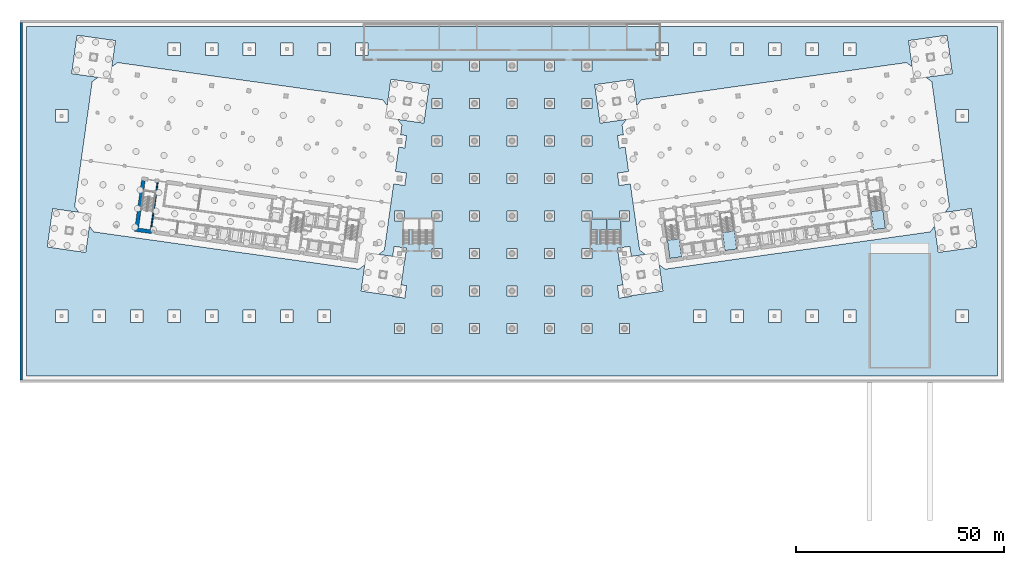
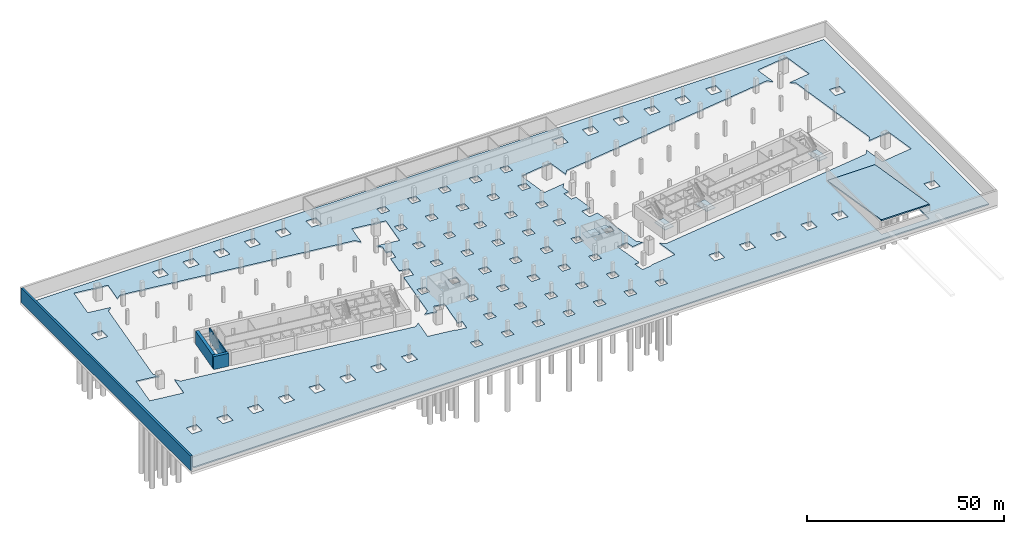
# One storey, part 4 of 19: 7 slabs, 4 walls, 5 elements without a shape of their own.
"""IFC4 building model written with IfcOpenShell, lengths in metres."""

from ifc_helpers import new_model, si_unit, direction, frame, frame_2d, origin, place, context, subcontext, project, spatial, polyline, rectangle, outline, extrude, material, layer, layer_set, type_object, element, aggregate, save


model = new_model("IFC4")

# Units and contexts
model_context = context("Model", 3, precision=1e-05, world=origin(), true_north=direction((0.0, 1.0)))
body_context = subcontext(model_context, "Body", "Model", "MODEL_VIEW")
ifc_project = project(units=[si_unit("LENGTHUNIT", "METRE"), si_unit("AREAUNIT", "SQUARE_METRE"), si_unit("VOLUMEUNIT", "CUBIC_METRE"), si_unit("PLANEANGLEUNIT", "RADIAN"), si_unit("MASSUNIT", "GRAM", prefix="KILO")], contexts=[model_context])

# Site, building, storey
site_placement = place(None, origin())
site = spatial("IfcSite", under=ifc_project, at=site_placement, CompositionType="ELEMENT")
building_placement = place(site_placement, origin())
building = spatial("IfcBuilding", under=site, at=building_placement, Name="Mirante Cascada Hotel Towers", CompositionType="ELEMENT")
storey_placement = place(building_placement, frame((0.0, 0.0, -9.0)))
storey = spatial("IfcBuildingStorey", under=building, at=storey_placement, Name="B2", CompositionType="ELEMENT", Elevation=-9.0)

# Slab
ifc_material_1 = material(Name="Concrete C35/45", Category="concrete")
ifc_layer_1 = layer(ifc_material_1, 0.4)
ifc_layer_set_1 = layer_set([ifc_layer_1], Name="Base slab 400 C35/45")
slab_type_1 = type_object("IfcSlabType", Name="Base slab 400 C35/45", PredefinedType="BASESLAB", material=ifc_layer_set_1)
slab_1_placement = place(storey_placement, frame((0.0, 0.0, -0.4)))
element("IfcSlab", 1, at=slab_1_placement, inside=storey, type_object=slab_type_1, Name="Basement base slab", PredefinedType="BASESLAB", context=body_context, shape_type="SweptSolid", body=[
    extrude(outline(polyline([(116.4, -47.4), (-116.4, -47.4), (-116.4, 36.4), (116.4, 36.4), (116.4, -47.4)]), holes=[polyline([(32.0068, -18.2286), (28.6139, -18.7055), (28.2766, -16.3058), (25.3058, -16.7234), (25.7234, -19.6942), (25.7705, -19.6875), (26.5933, -25.5424), (25.3058, -25.7234), (25.7234, -28.6942), (28.6942, -28.2766), (28.6678, -28.0893), (36.194, -27.0316), (35.3063, -20.715), (36.694, -21.7607), (100.3114, -12.8198), (101.3571, -11.4321), (102.2449, -17.7487), (111.4544, -16.4544), (110.1601, -7.2449), (103.8435, -8.1327), (104.8892, -6.7449), (100.6802, 23.2034), (99.2925, 24.2491), (105.6091, 25.1368), (104.3148, 34.3463), (95.1053, 33.052), (95.993, 26.7354), (94.6053, 27.7812), (30.9879, 18.8403), (29.9422, 17.4526), (29.0544, 23.7692), (19.8449, 22.4749), (21.1392, 13.2654), (27.4558, 14.1531), (26.4101, 12.7654), (26.7317, 10.477), (25.3058, 10.2766), (25.7234, 7.3058), (27.1492, 7.5062), (27.9721, 1.6514), (25.3058, 1.2766), (25.7234, -1.6942), (28.3896, -1.3194), (30.6191, -17.1829), (32.0068, -18.2286)]), polyline([(106.5, 13.5), (109.5, 13.5), (109.5, 16.5), (106.5, 16.5), (106.5, 13.5)]), polyline([(106.5, -34.5), (109.5, -34.5), (109.5, -31.5), (106.5, -31.5), (106.5, -34.5)]), polyline([(86.0, -45.5), (100.0, -45.5), (100.0, -18.0), (86.0, -18.0), (86.0, -45.5)]), polyline([(79.5, 32.5), (79.5, 29.5), (82.5, 29.5), (82.5, 32.5), (79.5, 32.5)]), polyline([(79.5, -31.5), (79.5, -34.5), (82.5, -34.5), (82.5, -31.5), (79.5, -31.5)]), polyline([(70.5, 32.5), (70.5, 29.5), (73.5, 29.5), (73.5, 32.5), (70.5, 32.5)]), polyline([(70.5, -31.5), (70.5, -34.5), (73.5, -34.5), (73.5, -31.5), (70.5, -31.5)]), polyline([(61.5, 29.5), (64.5, 29.5), (64.5, 32.5), (61.5, 32.5), (61.5, 29.5)]), polyline([(61.5, -34.5), (64.5, -34.5), (64.5, -31.5), (61.5, -31.5), (61.5, -34.5)]), polyline([(52.5, 29.5), (55.5, 29.5), (55.5, 32.5), (52.5, 32.5), (52.5, 29.5)]), polyline([(52.5, -34.5), (55.5, -34.5), (55.5, -31.5), (52.5, -31.5), (52.5, -34.5)]), polyline([(43.5, 32.5), (43.5, 29.5), (46.5, 29.5), (46.5, 32.5), (43.5, 32.5)]), polyline([(43.5, -34.5), (46.5, -34.5), (46.5, -31.5), (43.5, -31.5), (43.5, -34.5)]), polyline([(34.5, 29.5), (37.5, 29.5), (37.5, 32.5), (34.5, 32.5), (34.5, 29.5)]), polyline([(25.8, -10.2), (28.2, -10.2), (28.2, -7.8), (25.8, -7.8), (25.8, -10.2)]), polyline([(25.8, -37.2), (28.2, -37.2), (28.2, -34.8), (25.8, -34.8), (25.8, -37.2)]), polyline([(16.8, 28.2), (16.8, 25.8), (19.2, 25.8), (19.2, 28.2), (16.8, 28.2)]), polyline([(16.8, -37.2), (19.2, -37.2), (19.2, -34.8), (16.8, -34.8), (16.8, -37.2)]), polyline([(16.8, -28.2), (19.2, -28.2), (19.2, -25.8), (16.8, -25.8), (16.8, -28.2)]), polyline([(16.8, -19.2), (19.2, -19.2), (19.2, -16.8), (16.8, -16.8), (16.8, -19.2)]), polyline([(16.8, -7.8), (16.8, -10.2), (19.2, -10.2), (19.2, -7.8), (16.8, -7.8)]), polyline([(16.8, 1.2), (16.8, -1.2), (19.2, -1.2), (19.2, 1.2), (16.8, 1.2)]), polyline([(16.8, 7.8), (19.2, 7.8), (19.2, 10.2), (16.8, 10.2), (16.8, 7.8)]), polyline([(16.8, 16.8), (19.2, 16.8), (19.2, 19.2), (16.8, 19.2), (16.8, 16.8)]), polyline([(7.8, 28.2), (7.8, 25.8), (10.2, 25.8), (10.2, 28.2), (7.8, 28.2)]), polyline([(7.8, 16.8), (10.2, 16.8), (10.2, 19.2), (7.8, 19.2), (7.8, 16.8)]), polyline([(7.8, 10.2), (7.8, 7.8), (10.2, 7.8), (10.2, 10.2), (7.8, 10.2)]), polyline([(7.8, -1.2), (10.2, -1.2), (10.2, 1.2), (7.8, 1.2), (7.8, -1.2)]), polyline([(7.8, -7.8), (7.8, -10.2), (10.2, -10.2), (10.2, -7.8), (7.8, -7.8)]), polyline([(7.8, -19.2), (10.2, -19.2), (10.2, -16.8), (7.8, -16.8), (7.8, -19.2)]), polyline([(7.8, -28.2), (10.2, -28.2), (10.2, -25.8), (7.8, -25.8), (7.8, -28.2)]), polyline([(7.8, -34.8), (7.8, -37.2), (10.2, -37.2), (10.2, -34.8), (7.8, -34.8)]), polyline([(-1.2, -1.2), (1.2, -1.2), (1.2, 1.2), (-1.2, 1.2), (-1.2, -1.2)]), polyline([(-1.2, 25.8), (1.2, 25.8), (1.2, 28.2), (-1.2, 28.2), (-1.2, 25.8)]), polyline([(-1.2, 19.2), (-1.2, 16.8), (1.2, 16.8), (1.2, 19.2), (-1.2, 19.2)]), polyline([(-1.2, 7.8), (1.2, 7.8), (1.2, 10.2), (-1.2, 10.2), (-1.2, 7.8)]), polyline([(-1.2, -10.2), (1.2, -10.2), (1.2, -7.8), (-1.2, -7.8), (-1.2, -10.2)]), polyline([(-1.2, -19.2), (1.2, -19.2), (1.2, -16.8), (-1.2, -16.8), (-1.2, -19.2)]), polyline([(-1.2, -25.8), (-1.2, -28.2), (1.2, -28.2), (1.2, -25.8), (-1.2, -25.8)]), polyline([(-1.2, -37.2), (1.2, -37.2), (1.2, -34.8), (-1.2, -34.8), (-1.2, -37.2)]), polyline([(-10.2, 28.2), (-10.2, 25.8), (-7.8, 25.8), (-7.8, 28.2), (-10.2, 28.2)]), polyline([(-10.2, 16.8), (-7.8, 16.8), (-7.8, 19.2), (-10.2, 19.2), (-10.2, 16.8)]), polyline([(-10.2, 7.8), (-7.8, 7.8), (-7.8, 10.2), (-10.2, 10.2), (-10.2, 7.8)]), polyline([(-10.2, -1.2), (-7.8, -1.2), (-7.8, 1.2), (-10.2, 1.2), (-10.2, -1.2)]), polyline([(-10.2, -10.2), (-7.8, -10.2), (-7.8, -7.8), (-10.2, -7.8), (-10.2, -10.2)]), polyline([(-10.2, -16.8), (-10.2, -19.2), (-7.8, -19.2), (-7.8, -16.8), (-10.2, -16.8)]), polyline([(-10.2, -28.2), (-7.8, -28.2), (-7.8, -25.8), (-10.2, -25.8), (-10.2, -28.2)]), polyline([(-10.2, -34.8), (-10.2, -37.2), (-7.8, -37.2), (-7.8, -34.8), (-10.2, -34.8)]), polyline([(-19.2, -28.2), (-16.8, -28.2), (-16.8, -25.8), (-19.2, -25.8), (-19.2, -28.2)]), polyline([(-19.2, -37.2), (-16.8, -37.2), (-16.8, -34.8), (-19.2, -34.8), (-19.2, -37.2)]), polyline([(-19.2, -19.2), (-16.8, -19.2), (-16.8, -16.8), (-19.2, -16.8), (-19.2, -19.2)]), polyline([(-19.2, -7.8), (-19.2, -10.2), (-16.8, -10.2), (-16.8, -7.8), (-19.2, -7.8)]), polyline([(-19.2, 7.8), (-16.8, 7.8), (-16.8, 10.2), (-19.2, 10.2), (-19.2, 7.8)]), polyline([(-19.2, 19.2), (-19.2, 16.8), (-16.8, 16.8), (-16.8, 19.2), (-19.2, 19.2)]), polyline([(-19.2, 25.8), (-16.8, 25.8), (-16.8, 28.2), (-19.2, 28.2), (-19.2, 25.8)]), polyline([(-19.2, -1.2), (-16.8, -1.2), (-16.8, 1.2), (-19.2, 1.2), (-19.2, -1.2)]), polyline([(-36.694, -21.7607), (-35.3063, -20.715), (-36.194, -27.0316), (-28.6678, -28.0893), (-28.6942, -28.2766), (-25.7234, -28.6942), (-25.3058, -25.7234), (-26.5933, -25.5424), (-25.7705, -19.6875), (-25.7234, -19.6942), (-25.3058, -16.7234), (-28.2766, -16.3058), (-28.6139, -18.7055), (-32.0068, -18.2286), (-30.6191, -17.1829), (-28.3896, -1.3194), (-25.7234, -1.6942), (-25.3058, 1.2766), (-27.9721, 1.6514), (-27.1492, 7.5062), (-25.7234, 7.3058), (-25.3058, 10.2766), (-26.7317, 10.477), (-26.4101, 12.7654), (-27.4558, 14.1531), (-21.1392, 13.2654), (-19.8449, 22.4749), (-29.0544, 23.7692), (-29.9422, 17.4526), (-30.9879, 18.8403), (-94.6053, 27.7812), (-95.993, 26.7354), (-95.1053, 33.052), (-104.3148, 34.3463), (-105.6091, 25.1368), (-99.2925, 24.2491), (-100.6802, 23.2034), (-104.8892, -6.7449), (-103.8435, -8.1327), (-110.1601, -7.2449), (-111.4544, -16.4544), (-102.2449, -17.7487), (-101.3571, -11.4321), (-100.3114, -12.8198), (-36.694, -21.7607)]), polyline([(-28.2, -7.8), (-28.2, -10.2), (-25.8, -10.2), (-25.8, -7.8), (-28.2, -7.8)]), polyline([(-28.2, -37.2), (-25.8, -37.2), (-25.8, -34.8), (-28.2, -34.8), (-28.2, -37.2)]), polyline([(-37.5, 29.5), (-34.5, 29.5), (-34.5, 32.5), (-37.5, 32.5), (-37.5, 29.5)]), polyline([(-46.5, 29.5), (-43.5, 29.5), (-43.5, 32.5), (-46.5, 32.5), (-46.5, 29.5)]), polyline([(-46.5, -34.5), (-43.5, -34.5), (-43.5, -31.5), (-46.5, -31.5), (-46.5, -34.5)]), polyline([(-55.5, 29.5), (-52.5, 29.5), (-52.5, 32.5), (-55.5, 32.5), (-55.5, 29.5)]), polyline([(-55.5, -34.5), (-52.5, -34.5), (-52.5, -31.5), (-55.5, -31.5), (-55.5, -34.5)]), polyline([(-64.5, 29.5), (-61.5, 29.5), (-61.5, 32.5), (-64.5, 32.5), (-64.5, 29.5)]), polyline([(-64.5, -34.5), (-61.5, -34.5), (-61.5, -31.5), (-64.5, -31.5), (-64.5, -34.5)]), polyline([(-73.5, 29.5), (-70.5, 29.5), (-70.5, 32.5), (-73.5, 32.5), (-73.5, 29.5)]), polyline([(-73.5, -34.5), (-70.5, -34.5), (-70.5, -31.5), (-73.5, -31.5), (-73.5, -34.5)]), polyline([(-82.5, 29.5), (-79.5, 29.5), (-79.5, 32.5), (-82.5, 32.5), (-82.5, 29.5)]), polyline([(-82.5, -31.5), (-82.5, -34.5), (-79.5, -34.5), (-79.5, -31.5), (-82.5, -31.5)]), polyline([(-91.5, -31.5), (-91.5, -34.5), (-88.5, -34.5), (-88.5, -31.5), (-91.5, -31.5)]), polyline([(-100.5, -34.5), (-97.5, -34.5), (-97.5, -31.5), (-100.5, -31.5), (-100.5, -34.5)]), polyline([(-109.5, -34.5), (-106.5, -34.5), (-106.5, -31.5), (-109.5, -31.5), (-109.5, -34.5)]), polyline([(-109.5, 16.5), (-109.5, 13.5), (-106.5, 13.5), (-106.5, 16.5), (-109.5, 16.5)])]), origin(), (0.0, 0.0, 1.0), 0.4),
])

# Stair, slab
ifc_material_2 = material(Name="Concrete C35/45", Category="concrete")
stair_type_1 = type_object("IfcStairType", Name="Exit stair half-turn 1350 concrete C35/45", PredefinedType="HALF_TURN_STAIR", material=ifc_material_2)
stair_1_placement = place(storey_placement, origin())
stair_1 = element("IfcStair", 2, at=stair_1_placement, inside=storey, type_object=stair_type_1, Name="B2 Exit stair A", PredefinedType="HALF_TURN_STAIR")
ifc_material_3 = material(Name="Concrete C35/45", Category="concrete")
ifc_layer_2 = layer(ifc_material_3, 0.2)
ifc_layer_set_2 = layer_set([ifc_layer_2], Name="Exit stair landing 200 concrete C35/45")
slab_type_2 = type_object("IfcSlabType", Name="Exit stair landing 200 concrete C35/45", PredefinedType="LANDING", material=ifc_layer_set_2)
slab_2_placement = place(storey_placement, frame((0.0, 0.0, 2.05)))
slab_2 = element("IfcSlab", 3, at=slab_2_placement, type_object=slab_type_2, Name="ST2-A landing 1", PredefinedType="LANDING", context=body_context, shape_type="SweptSolid", body=[
    extrude(outline(polyline([(37.2544, -14.8171), (37.8665, -19.1723), (40.6887, -18.7757), (40.0767, -14.4205), (37.2544, -14.8171)])), origin(), (0.0, 0.0, 1.0), 0.2),
])
aggregate(stair_1, [slab_2])

stair_2_placement = place(storey_placement, origin())
stair_2 = element("IfcStair", 4, at=stair_2_placement, inside=storey, type_object=stair_type_1, Name="B2 Exit stair B", PredefinedType="HALF_TURN_STAIR")
slab_3_placement = place(storey_placement, frame((0.0, 0.0, 2.05)))
slab_3 = element("IfcSlab", 5, at=slab_3_placement, type_object=slab_type_2, Name="ST2-B landing 1", PredefinedType="LANDING", context=body_context, shape_type="SweptSolid", body=[
    extrude(outline(polyline([(50.4745, -12.9592), (51.0866, -17.3144), (53.9088, -16.9177), (53.2967, -12.5625), (50.4745, -12.9592)])), origin(), (0.0, 0.0, 1.0), 0.2),
])
aggregate(stair_2, [slab_3])

stair_3_placement = place(storey_placement, origin())
stair_3 = element("IfcStair", 6, at=stair_3_placement, inside=storey, type_object=stair_type_1, Name="B2 Exit stair C", PredefinedType="HALF_TURN_STAIR")
slab_4_placement = place(storey_placement, frame((0.0, 0.0, 2.05)))
slab_4 = element("IfcSlab", 7, at=slab_4_placement, type_object=slab_type_2, Name="ST2-C landing 1", PredefinedType="LANDING", context=body_context, shape_type="SweptSolid", body=[
    extrude(outline(polyline([(86.1241, -7.9489), (86.7362, -12.3041), (89.5585, -11.9075), (88.9464, -7.5523), (86.1241, -7.9489)])), origin(), (0.0, 0.0, 1.0), 0.2),
])
aggregate(stair_3, [slab_4])

ifc_material_4 = material(Name="Concrete C35/45", Category="concrete")
stair_type_2 = type_object("IfcStairType", Name="Podium exit stair half-turn 1500 concrete C35/45", PredefinedType="HALF_TURN_STAIR", material=ifc_material_4)
stair_4_placement = place(storey_placement, origin())
stair_4 = element("IfcStair", 8, at=stair_4_placement, inside=storey, type_object=stair_type_2, Name="B2 Podium exit stair 4", PredefinedType="HALF_TURN_STAIR")
ifc_material_5 = material(Name="Concrete C35/45", Category="concrete")
ifc_layer_3 = layer(ifc_material_5, 0.2)
ifc_layer_set_3 = layer_set([ifc_layer_3], Name="Podium exit stair landing 200 concrete C35/45")
slab_type_3 = type_object("IfcSlabType", Name="Podium exit stair landing 200 concrete C35/45", PredefinedType="LANDING", material=ifc_layer_set_3)
slab_5_placement = place(storey_placement, frame((0.0, 0.0, 2.05)))
slab_5 = element("IfcSlab", 9, at=slab_5_placement, type_object=slab_type_3, Name="PS2 landing 1", PredefinedType="LANDING", context=body_context, shape_type="SweptSolid", body=[
    extrude(outline(polyline([(26.075, -12.415), (26.075, -9.725), (22.925, -9.725), (22.925, -12.415), (26.075, -12.415)])), origin(), (0.0, 0.0, 1.0), 0.2),
])
aggregate(stair_4, [slab_5])

stair_5_placement = place(storey_placement, origin())
stair_5 = element("IfcStair", 10, at=stair_5_placement, inside=storey, type_object=stair_type_2, Name="B2 Podium exit stair 6", PredefinedType="HALF_TURN_STAIR")
slab_6_placement = place(storey_placement, frame((0.0, 0.0, 2.05)))
slab_6 = element("IfcSlab", 11, at=slab_6_placement, type_object=slab_type_3, Name="PS4 landing 1", PredefinedType="LANDING", context=body_context, shape_type="SweptSolid", body=[
    extrude(outline(polyline([(22.675, -12.415), (22.675, -9.725), (18.925, -9.725), (18.925, -12.415), (22.675, -12.415)])), origin(), (0.0, 0.0, 1.0), 0.2),
])
aggregate(stair_5, [slab_6])

# Slab
ifc_material_6 = material(Name="Concrete C35/45", Category="concrete")
ifc_layer_4 = layer(ifc_material_6, 0.4)
ifc_layer_set_4 = layer_set([ifc_layer_4], Name="Vehicle ramp slab 400 C35/45")
slab_type_4 = type_object("IfcSlabType", Name="Vehicle ramp slab 400 C35/45", PredefinedType="FLOOR", material=ifc_layer_set_4)
slab_7_placement = place(storey_placement, frame((93.0, -18.0, 9.0), z_axis=(0.0, 0.0, 1.0), x_axis=(0.0, -1.0, 0.0)))
element("IfcSlab", 12, at=slab_7_placement, inside=storey, type_object=slab_type_4, Name="Vehicle ramp slab 1", PredefinedType="FLOOR", context=body_context, shape_type="SweptSolid", body=[
    extrude(outline(polyline([(0.0, -9.4), (27.5, -4.9), (27.5, -4.5), (0.0, -9.0), (0.0, -9.4)])), frame((0.0, 7.0, 0.0), z_axis=(0.0, -1.0, 0.0), x_axis=(1.0, 0.0, 0.0)), (0.0, 0.0, 1.0), 14.0),
])

# Walls
ifc_material_7 = material(Name="Concrete C50/60", Category="concrete")
ifc_layer_5 = layer(ifc_material_7, 0.3)
ifc_layer_set_5 = layer_set([ifc_layer_5], Name="RC core wall 300 C50/60")
wall_type_1 = type_object("IfcWallType", Name="RC core wall 300 C50/60", PredefinedType="SHEAR", material=ifc_layer_set_5)
wall_1_placement = place(storey_placement, frame((-86.5877, -12.325, 0.0), z_axis=(0.0, 0.0, 1.0), x_axis=(0.1391749, 0.9902678, 0.0)))
element("IfcWall", 13, at=wall_1_placement, inside=storey, type_object=wall_type_1, Name="Core wall T1:B2:8", PredefinedType="SHEAR", context=body_context, shape_type="SweptSolid", body=[
    extrude(rectangle(XDim=11.4, YDim=0.3, at=frame_2d((5.7, 0.0))), origin(), (0.0, 0.0, 1.0), 4.0),
])
ifc_material_8 = material(Name="Concrete C50/60", Category="concrete")
ifc_layer_6 = layer(ifc_material_8, 0.9)
ifc_layer_set_6 = layer_set([ifc_layer_6], Name="RC core wall 900 C50/60")
wall_type_2 = type_object("IfcWallType", Name="RC core wall 900 C50/60", PredefinedType="SHEAR", material=ifc_layer_set_6)
wall_2_placement = place(storey_placement, frame((-86.4027, -12.8054, 0.0), z_axis=(0.0, 0.0, 1.0), x_axis=(-0.990267, 0.139181, 0.0)))
element("IfcWall", 14, at=wall_2_placement, inside=storey, type_object=wall_type_2, Name="Core wall T1:B2:1.7", PredefinedType="SHEAR", context=body_context, shape_type="SweptSolid", body=[
    extrude(rectangle(XDim=4.15, YDim=0.9, at=frame_2d((2.075, 0.0))), origin(), (0.0, 0.0, 1.0), 4.0),
])
wall_3_placement = place(storey_placement, frame((-90.0041, -11.8449, 0.0), z_axis=(0.0, 0.0, 1.0), x_axis=(0.1391749, 0.9902678, 0.0)))
element("IfcWall", 15, at=wall_3_placement, inside=storey, type_object=wall_type_2, Name="Core wall T1:B2:4", PredefinedType="SHEAR", context=body_context, shape_type="SweptSolid", body=[
    extrude(rectangle(XDim=11.4, YDim=0.9, at=frame_2d((5.7, 0.0))), origin(), (0.0, 0.0, 1.0), 4.0),
])
ifc_material_9 = material(Name="Concrete C35/45", Category="concrete")
ifc_layer_7 = layer(ifc_material_9, 0.6)
ifc_layer_set_7 = layer_set([ifc_layer_7], Name="Retaining wall 600 C35/45")
wall_type_3 = type_object("IfcWallType", Name="Retaining wall 600 C35/45", PredefinedType="SOLIDWALL", material=ifc_layer_set_7)
wall_4_placement = place(storey_placement, frame((-117.7, -48.4, 0.0), z_axis=(0.0, 0.0, 1.0), x_axis=(0.0, 1.0, 0.0)))
element("IfcWall", 16, at=wall_4_placement, inside=storey, type_object=wall_type_3, Name="wall:B:B2:1", PredefinedType="SOLIDWALL", context=body_context, shape_type="SweptSolid", body=[
    extrude(rectangle(XDim=85.8, YDim=0.6, at=frame_2d((42.9, 0.0))), origin(), (0.0, 0.0, 1.0), 4.5),
])

save(model, "model.ifc")
